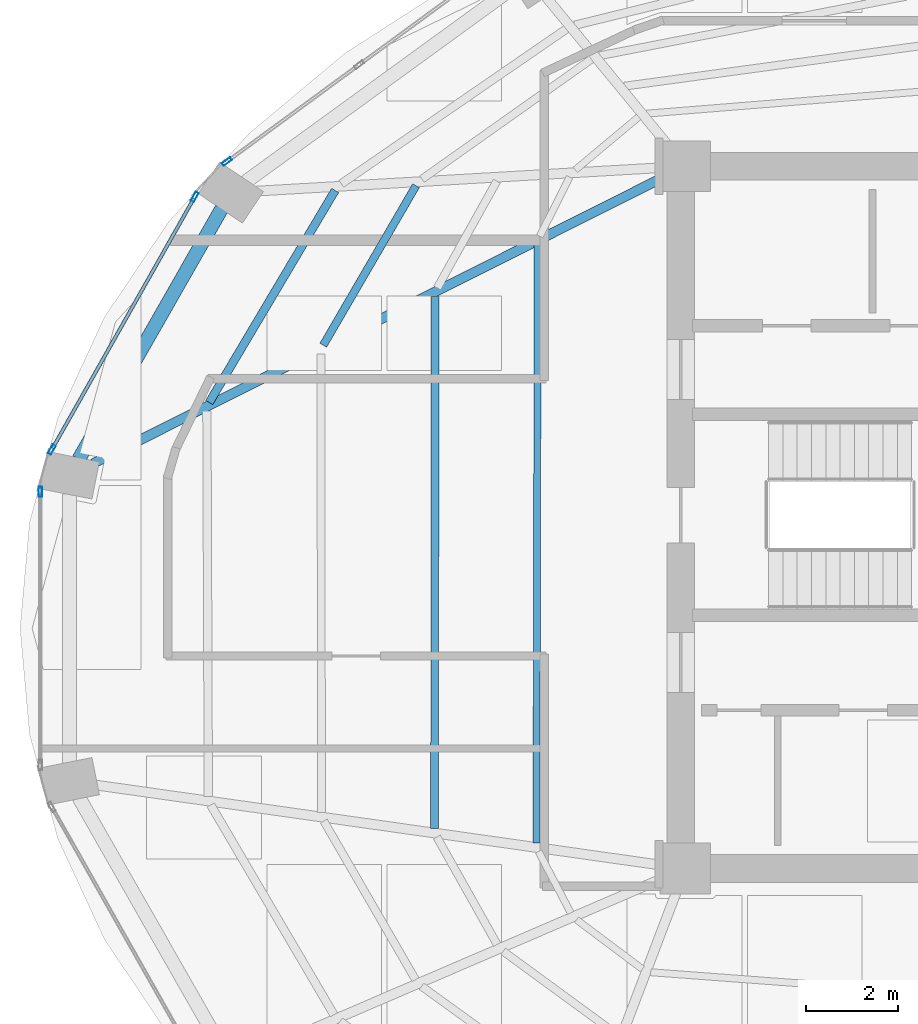
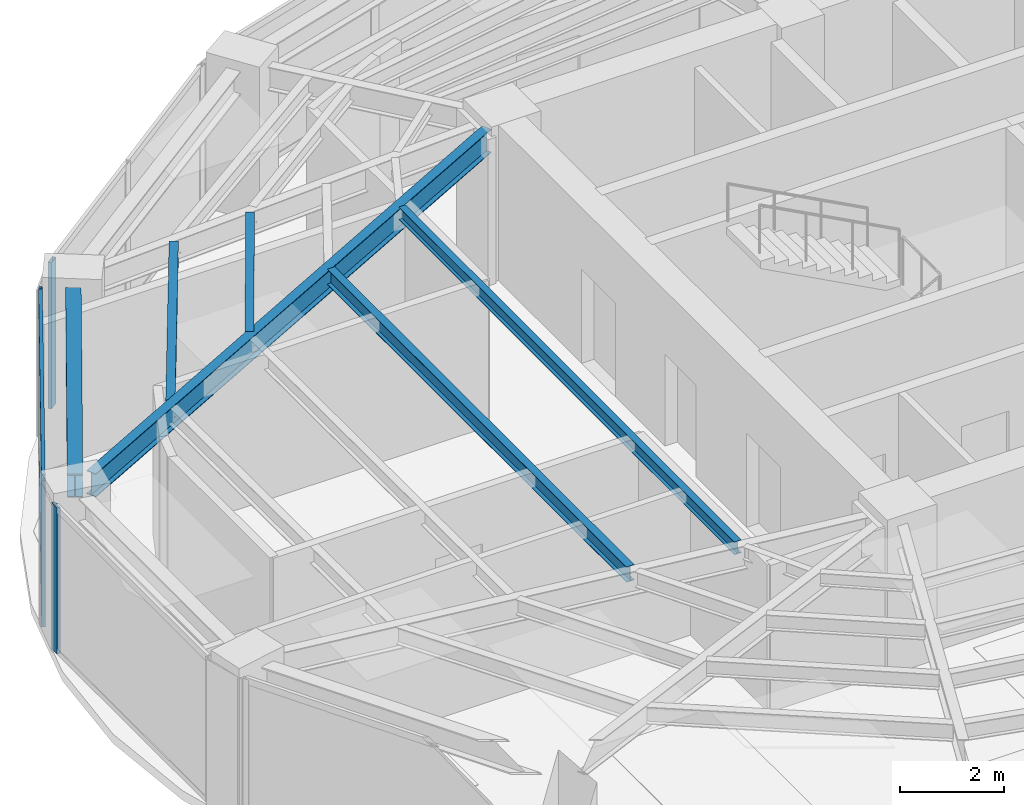
# One storey, part 6 of 19: 6 beams, 6 members, 3 elements without a shape of their own.
"""IFC4 building model written with IfcOpenShell, lengths in metres."""

from ifc_helpers import new_model, si_unit, direction, frame, origin, origin_2d, place, context, subcontext, project, spatial, hollow_rectangle, i_section, extrude, material, layer, layer_set, material_profile, profile_set, type_object, element, aggregate, save


model = new_model("IFC4")

# Units and contexts
model_context = context("Model", 3, precision=1e-05, world=origin(), true_north=direction((0.0, 1.0)))
body_context = subcontext(model_context, "Body", "Model", "MODEL_VIEW")
ifc_project = project(units=[si_unit("LENGTHUNIT", "METRE"), si_unit("AREAUNIT", "SQUARE_METRE"), si_unit("VOLUMEUNIT", "CUBIC_METRE"), si_unit("PLANEANGLEUNIT", "RADIAN"), si_unit("MASSUNIT", "GRAM", prefix="KILO")], contexts=[model_context])

# Site, building, storey
site_placement = place(None, origin())
site = spatial("IfcSite", under=ifc_project, at=site_placement, CompositionType="ELEMENT")
building_placement = place(site_placement, origin())
building = spatial("IfcBuilding", under=site, at=building_placement, Name="Lazwardi Medical Tower", CompositionType="ELEMENT")
storey_placement = place(building_placement, frame((0.0, 0.0, 163.823974609375)))
storey = spatial("IfcBuildingStorey", under=building, at=storey_placement, Name="L42", CompositionType="ELEMENT", Elevation=163.823974609375)

# Beams
ifc_material_1 = material(Name="Steel S355", Category="steel")
ifc_material_profile_1 = material_profile(ifc_material_1, i_section(OverallWidth=0.300048828125, OverallDepth=0.550048828125, WebThickness=0.014892578125, FlangeThickness=0.029052734375, at=origin_2d()), Name="HEB 550")
ifc_profile_set_1 = profile_set([ifc_material_profile_1], Name="Steel S355")
beam_type_1 = type_object("IfcBeamType", Name="BM-RB-Z3", PredefinedType="BEAM", material=ifc_profile_set_1)
beam_1_placement = place(storey_placement, frame((16.3662109375, 34.683349609375, 3.153076171875), z_axis=(-0.495477752551, -0.868620628771, 0.0), x_axis=(0.868620628771, -0.495477752551, 0.0)))
element("IfcBeam", 1, at=beam_1_placement, inside=storey, type_object=beam_type_1, Name="Ring beam RB-04 B11 L42", PredefinedType="BEAM", context=body_context, shape_type="SweptSolid", body=[
    extrude(i_section(OverallWidth=0.300048828125, OverallDepth=0.550048828125, WebThickness=0.014892578125, FlangeThickness=0.029052734375, at=origin_2d()), origin(), (0.0, 0.0, 1.0), 6.244384765625),
])
ifc_material_profile_2 = material_profile(ifc_material_1, i_section(OverallWidth=0.2099609375, OverallDepth=0.550048828125, WebThickness=0.010986328125, FlangeThickness=0.01708984375, at=origin_2d()), Name="IPE 550")
ifc_profile_set_2 = profile_set([ifc_material_profile_2], Name="Steel S355")
beam_type_2 = type_object("IfcBeamType", Name="BM-RG-W2", PredefinedType="BEAM", material=ifc_profile_set_2)
beam_2_placement = place(storey_placement, frame((13.57470703125, 29.162841796875, 3.153076171875), z_axis=(0.893740468624, 0.448584412061, 0.0), x_axis=(-0.448584412061, 0.893740468624, 0.0)))
element("IfcBeam", 2, at=beam_2_placement, inside=storey, type_object=beam_type_2, Name="Radial girder RG-03 R12 L42", PredefinedType="BEAM", context=body_context, shape_type="SweptSolid", body=[
    extrude(i_section(OverallWidth=0.2099609375, OverallDepth=0.550048828125, WebThickness=0.010986328125, FlangeThickness=0.01708984375, at=origin_2d()), origin(), (0.0, 0.0, 1.0), 13.815185546875),
])
ifc_material_profile_3 = material_profile(ifc_material_1, i_section(OverallWidth=0.179931640625, OverallDepth=0.39990234375, WebThickness=0.008544921875, FlangeThickness=0.013427734375, at=origin_2d()), Name="IPE 400")
ifc_profile_set_3 = profile_set([ifc_material_profile_3], Name="Steel S355")
beam_type_3 = type_object("IfcBeamType", Name="BM-SJ-01", PredefinedType="JOIST", material=ifc_profile_set_3)
beam_3_placement = place(storey_placement, frame((18.82080078125, 35.078369140625, 3.22802734375), z_axis=(-0.510569396963, -0.859836548935, 0.0), x_axis=(0.859836548935, -0.510569396963, 0.0)))
element("IfcBeam", 3, at=beam_3_placement, inside=storey, type_object=beam_type_3, Name="Secondary joist SJ-01 R1 B11 L42", PredefinedType="JOIST", context=body_context, shape_type="SweptSolid", body=[
    extrude(i_section(OverallWidth=0.179931640625, OverallDepth=0.39990234375, WebThickness=0.008544921875, FlangeThickness=0.013427734375, at=origin_2d()), origin(), (0.0, 0.0, 1.0), 5.33837890625),
])
ifc_material_profile_4 = material_profile(ifc_material_1, i_section(OverallWidth=0.169921875, OverallDepth=0.360107421875, WebThickness=0.008056640625, FlangeThickness=0.0126953125, at=origin_2d()), Name="IPE 360")
ifc_profile_set_4 = profile_set([ifc_material_profile_4], Name="Steel S355")
beam_type_4 = type_object("IfcBeamType", Name="BM-SJ-02", PredefinedType="JOIST", material=ifc_profile_set_4)
beam_4_placement = place(storey_placement, frame((20.5703125, 35.17919921875, 3.248046875), z_axis=(-0.502665102216, -0.864481228839, 0.0), x_axis=(0.864481228839, -0.502665102216, 0.0)))
element("IfcBeam", 4, at=beam_4_placement, inside=storey, type_object=beam_type_4, Name="Secondary joist SJ-02 R2 B11 L42", PredefinedType="JOIST", context=body_context, shape_type="SweptSolid", body=[
    extrude(i_section(OverallWidth=0.169921875, OverallDepth=0.360107421875, WebThickness=0.008056640625, FlangeThickness=0.0126953125, at=origin_2d()), origin(), (0.0, 0.0, 1.0), 3.991943359375),
])
beam_5_placement = place(storey_placement, frame((20.98291015625, 32.78125, 3.248046875), z_axis=(-0.000805852776, -0.999999675301, 0.0), x_axis=(0.999999675301, -0.000805852776, 0.0)))
element("IfcBeam", 5, at=beam_5_placement, inside=storey, type_object=beam_type_4, Name="Secondary joist SJ-02 R3 B12 L42", PredefinedType="JOIST", context=body_context, shape_type="SweptSolid", body=[
    extrude(i_section(OverallWidth=0.169921875, OverallDepth=0.360107421875, WebThickness=0.008056640625, FlangeThickness=0.0126953125, at=origin_2d()), origin(), (0.0, 0.0, 1.0), 11.512451171875),
])
ifc_material_profile_5 = material_profile(ifc_material_1, i_section(OverallWidth=0.14990234375, OverallDepth=0.300048828125, WebThickness=0.007080078125, FlangeThickness=0.0107421875, at=origin_2d()), Name="IPE 300")
ifc_profile_set_5 = profile_set([ifc_material_profile_5], Name="Steel S355")
beam_type_5 = type_object("IfcBeamType", Name="BM-SJ-03", PredefinedType="JOIST", material=ifc_profile_set_5)
beam_6_placement = place(storey_placement, frame((23.205078125, 33.896484375, 3.278076171875), z_axis=(-0.002150897838, -0.999997686817, 0.0), x_axis=(0.999997686817, -0.002150897838, 0.0)))
element("IfcBeam", 6, at=beam_6_placement, inside=storey, type_object=beam_type_5, Name="Secondary joist SJ-03 R4 B12 L42", PredefinedType="JOIST", context=body_context, shape_type="SweptSolid", body=[
    extrude(i_section(OverallWidth=0.14990234375, OverallDepth=0.300048828125, WebThickness=0.007080078125, FlangeThickness=0.0107421875, at=origin_2d()), origin(), (0.0, 0.0, 1.0), 12.939697265625),
])

# Curtain wall, member
ifc_material_2 = material(Name="Anodised bronze aluminium and solar control glazing", Category="aluminium")
ifc_layer = layer(ifc_material_2, 0.195068359375)
ifc_layer_set = layer_set([ifc_layer], Name="Anodised bronze aluminium and solar control glazing")
curtain_wall_type = type_object("IfcCurtainWallType", Name="CW-SYS-03", PredefinedType="NOTDEFINED", material=ifc_layer_set)
curtain_wall_1_placement = place(storey_placement, origin())
curtain_wall_1 = element("IfcCurtainWall", 7, at=curtain_wall_1_placement, inside=storey, type_object=curtain_wall_type, Name="L42 Unitised bronze curtain wall CW-03", PredefinedType="NOTDEFINED")
ifc_material_3 = material(Name="Anodised bronze aluminium", Category="aluminium")
ifc_material_profile_6 = material_profile(ifc_material_3, hollow_rectangle(XDim=0.074951171875, YDim=0.219970703125, WallThickness=0.00390625, at=origin_2d()), Name="ALU-MULLION 220x75x4")
ifc_profile_set_6 = profile_set([ifc_material_profile_6], Name="Anodised bronze aluminium")
member_type_1 = type_object("IfcMemberType", Name="CW-MUL-01", PredefinedType="MULLION", material=ifc_profile_set_6)
member_1_placement = place(storey_placement, frame((16.480224609375, 35.702880859375, 0.0), z_axis=(0.0, 0.0, 1.0), x_axis=(0.590833862635, -0.806793249082, 0.0)))
member_1 = element("IfcMember", 8, at=member_1_placement, type_object=member_type_1, Name="CW-03 mullion 3", PredefinedType="MULLION", context=body_context, shape_type="SweptSolid", body=[
    extrude(hollow_rectangle(XDim=0.074951171875, YDim=0.219970703125, WallThickness=0.00390625, at=origin_2d()), origin(), (0.0, 0.0, 1.0), 3.427978515625),
])
aggregate(curtain_wall_1, [member_1])

# Curtain wall, members
curtain_wall_2_placement = place(storey_placement, origin())
curtain_wall_2 = element("IfcCurtainWall", 9, at=curtain_wall_2_placement, inside=storey, type_object=curtain_wall_type, Name="L42 Unitised bronze curtain wall CW-03", PredefinedType="NOTDEFINED")
member_2_placement = place(storey_placement, frame((15.782470703125, 34.936767578125, 0.0), z_axis=(0.0, 0.0, 1.0), x_axis=(0.870418989303, -0.492311672683, 0.0)))
member_2 = element("IfcMember", 10, at=member_2_placement, type_object=member_type_1, Name="CW-03 mullion 1", PredefinedType="MULLION", context=body_context, shape_type="SweptSolid", body=[
    extrude(hollow_rectangle(XDim=0.074951171875, YDim=0.219970703125, WallThickness=0.00390625, at=origin_2d()), origin(), (0.0, 0.0, 1.0), 3.427978515625),
])
member_3_placement = place(storey_placement, frame((12.68896484375, 29.46728515625, 0.0), z_axis=(0.0, 0.0, 1.0), x_axis=(0.870418989303, -0.492311672683, 0.0)))
member_3 = element("IfcMember", 11, at=member_3_placement, type_object=member_type_1, Name="CW-03 mullion 2", PredefinedType="MULLION", context=body_context, shape_type="SweptSolid", body=[
    extrude(hollow_rectangle(XDim=0.074951171875, YDim=0.219970703125, WallThickness=0.00390625, at=origin_2d()), origin(), (0.0, 0.0, 1.0), 3.427978515625),
])

# Curtain wall, member
curtain_wall_3_placement = place(storey_placement, origin())
curtain_wall_3 = element("IfcCurtainWall", 12, at=curtain_wall_3_placement, inside=storey, type_object=curtain_wall_type, Name="L42 Unitised bronze curtain wall CW-03", PredefinedType="NOTDEFINED")
member_4_placement = place(storey_placement, frame((12.4423828125, 28.557861328125, 0.0), z_axis=(0.0, 0.0, 1.0), x_axis=(1.0, 0.0, 0.0)))
member_4 = element("IfcMember", 13, at=member_4_placement, type_object=member_type_1, Name="CW-03 mullion 1", PredefinedType="MULLION", context=body_context, shape_type="SweptSolid", body=[
    extrude(hollow_rectangle(XDim=0.074951171875, YDim=0.219970703125, WallThickness=0.00390625, at=origin_2d()), origin(), (0.0, 0.0, 1.0), 3.427978515625),
])
aggregate(curtain_wall_3, [member_4])

# Member
ifc_material_profile_7 = material_profile(ifc_material_3, hollow_rectangle(XDim=0.074951171875, YDim=0.159912109375, WallThickness=0.00390625, at=origin_2d()), Name="ALU-TRANSOM 160x75x4")
ifc_profile_set_7 = profile_set([ifc_material_profile_7], Name="Anodised bronze aluminium")
member_type_2 = type_object("IfcMemberType", Name="CW-TRN-01", PredefinedType="USERDEFINED", material=ifc_profile_set_7)
member_5_placement = place(storey_placement, frame((15.763916015625, 34.904052734375, 0.03759765625), z_axis=(-0.492322860598, -0.870412661289, 0.0), x_axis=(0.870412661289, -0.492322860598, 0.0)))
member_5 = element("IfcMember", 14, at=member_5_placement, type_object=member_type_2, Name="CW-03 transom 1.1", ObjectType="TRANSOM", PredefinedType="USERDEFINED", context=body_context, shape_type="SweptSolid", body=[
    extrude(hollow_rectangle(XDim=0.074951171875, YDim=0.159912109375, WallThickness=0.00390625, at=origin_2d()), origin(), (0.0, 0.0, 1.0), 6.20849609375),
])

member_6_placement = place(storey_placement, frame((15.763916015625, 34.904052734375, 3.390625), z_axis=(-0.492322860598, -0.870412661289, 0.0), x_axis=(0.870412661289, -0.492322860598, 0.0)))
member_6 = element("IfcMember", 15, at=member_6_placement, type_object=member_type_2, Name="CW-03 transom 1.2", ObjectType="TRANSOM", PredefinedType="USERDEFINED", context=body_context, shape_type="SweptSolid", body=[
    extrude(hollow_rectangle(XDim=0.074951171875, YDim=0.159912109375, WallThickness=0.00390625, at=origin_2d()), origin(), (0.0, 0.0, 1.0), 6.20849609375),
])

aggregate(curtain_wall_2, [member_2, member_3, member_5, member_6])

save(model, "model.ifc")
